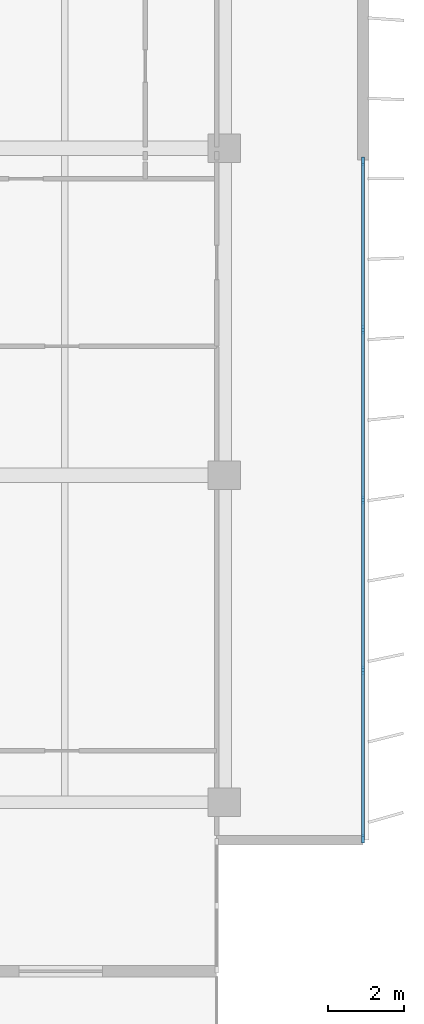
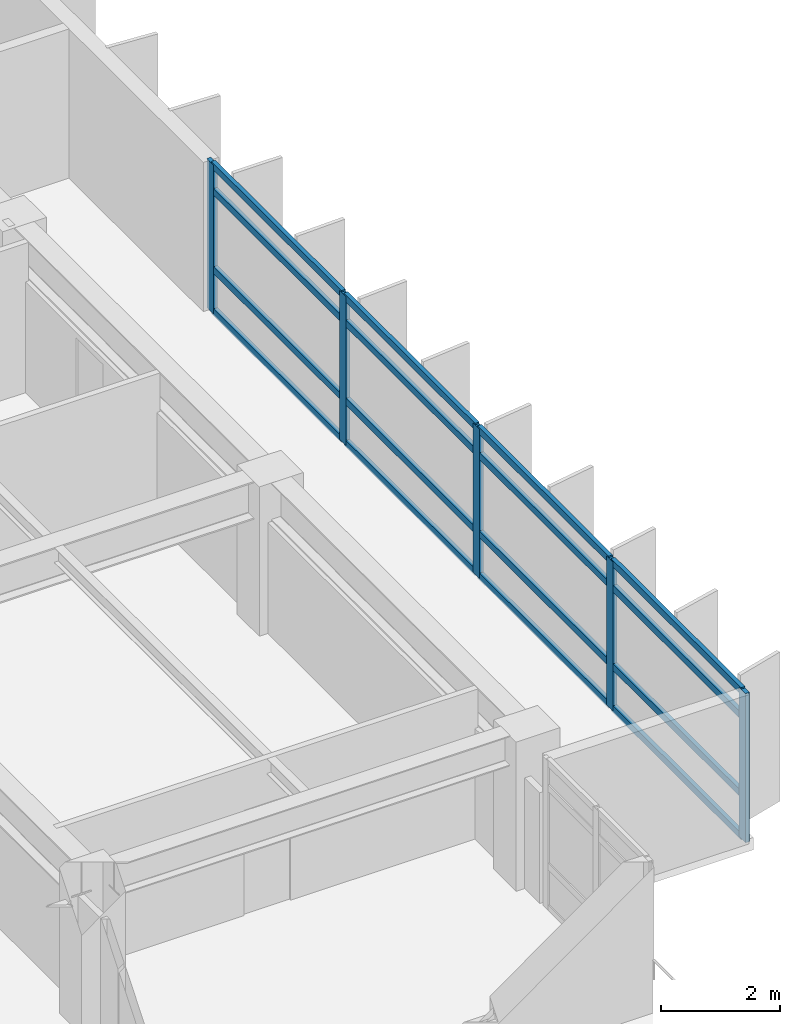
# One storey, part 5 of 18: 21 members, 1 element without a shape of its own.
"""IFC4 building model written with IfcOpenShell, lengths in metres."""

from ifc_helpers import new_model, si_unit, direction, frame, origin, origin_2d, place, context, subcontext, project, spatial, rectangle, extrude, material, layer, layer_set, material_profile, profile_set, type_object, element, aggregate, save


model = new_model("IFC4")

# Units and contexts
model_context = context("Model", 3, precision=1e-05, world=origin(), true_north=direction((0.0, 1.0)))
body_context = subcontext(model_context, "Body", "Model", "MODEL_VIEW")
ifc_project = project(units=[si_unit("LENGTHUNIT", "METRE"), si_unit("AREAUNIT", "SQUARE_METRE"), si_unit("VOLUMEUNIT", "CUBIC_METRE"), si_unit("PLANEANGLEUNIT", "RADIAN"), si_unit("MASSUNIT", "GRAM", prefix="KILO")], contexts=[model_context])

# Site, building, storey
site_placement = place(None, origin())
site = spatial("IfcSite", under=ifc_project, at=site_placement, CompositionType="ELEMENT")
building_placement = place(site_placement, origin())
building = spatial("IfcBuilding", under=site, at=building_placement, Name="Caelmar Bay Residences", CompositionType="ELEMENT")
storey_placement = place(building_placement, frame((0.0, 0.0, 170.39990234375)))
storey = spatial("IfcBuildingStorey", under=building, at=storey_placement, Name="L47", CompositionType="ELEMENT", Elevation=170.39990234375)

# Curtain wall, members
ifc_material_1 = material(Name="Anodised bronze aluminium 6063-T6 and laminated glass", Category="aluminium")
ifc_layer = layer(ifc_material_1, 0.179931640625)
ifc_layer_set = layer_set([ifc_layer], Name="Anodised bronze aluminium 6063-T6 and laminated glass")
curtain_wall_type = type_object("IfcCurtainWallType", Name="CW4-Z3", PredefinedType="NOTDEFINED", material=ifc_layer_set)
curtain_wall_placement = place(storey_placement, origin())
curtain_wall = element("IfcCurtainWall", 1, at=curtain_wall_placement, inside=storey, type_object=curtain_wall_type, Name="CW4 curtain wall L47", PredefinedType="NOTDEFINED")
ifc_material_2 = material(Name="Anodised bronze aluminium 6063-T6", Category="aluminium")
ifc_material_profile_1 = material_profile(ifc_material_2, rectangle(XDim=0.080078125, YDim=0.219970703125, at=origin_2d()), Name="CWM-80X220")
ifc_profile_set_1 = profile_set([ifc_material_profile_1], Name="Anodised bronze aluminium 6063-T6")
member_type_1 = type_object("IfcMemberType", Name="CWM-220", PredefinedType="MULLION", material=ifc_profile_set_1)
member_1_placement = place(storey_placement, frame((71.550048828125, 29.06005859375, 0.0), z_axis=(0.0, 0.0, 1.0), x_axis=(1.0, 0.0, 0.0)))
member_1 = element("IfcMember", 2, at=member_1_placement, type_object=member_type_1, Name="CW4 mullion 1", PredefinedType="MULLION", context=body_context, shape_type="SweptSolid", body=[
    extrude(rectangle(XDim=0.080078125, YDim=0.219970703125, at=origin_2d()), origin(), (0.0, 0.0, 1.0), 3.050048828125),
])
member_2_placement = place(storey_placement, frame((71.550048828125, 24.625, 0.0), z_axis=(0.0, 0.0, 1.0), x_axis=(1.0, 0.0, 0.0)))
member_2 = element("IfcMember", 3, at=member_2_placement, type_object=member_type_1, Name="CW4 mullion 2", PredefinedType="MULLION", context=body_context, shape_type="SweptSolid", body=[
    extrude(rectangle(XDim=0.080078125, YDim=0.219970703125, at=origin_2d()), origin(), (0.0, 0.0, 1.0), 3.050048828125),
])
member_3_placement = place(storey_placement, frame((71.550048828125, 20.14990234375, 0.0), z_axis=(0.0, 0.0, 1.0), x_axis=(1.0, 0.0, 0.0)))
member_3 = element("IfcMember", 4, at=member_3_placement, type_object=member_type_1, Name="CW4 mullion 3", PredefinedType="MULLION", context=body_context, shape_type="SweptSolid", body=[
    extrude(rectangle(XDim=0.080078125, YDim=0.219970703125, at=origin_2d()), origin(), (0.0, 0.0, 1.0), 3.050048828125),
])
member_4_placement = place(storey_placement, frame((71.550048828125, 15.675048828125, 0.0), z_axis=(0.0, 0.0, 1.0), x_axis=(1.0, 0.0, 0.0)))
member_4 = element("IfcMember", 5, at=member_4_placement, type_object=member_type_1, Name="CW4 mullion 4", PredefinedType="MULLION", context=body_context, shape_type="SweptSolid", body=[
    extrude(rectangle(XDim=0.080078125, YDim=0.219970703125, at=origin_2d()), origin(), (0.0, 0.0, 1.0), 3.050048828125),
])
member_5_placement = place(storey_placement, frame((71.550048828125, 11.239990234375, 0.0), z_axis=(0.0, 0.0, 1.0), x_axis=(1.0, 0.0, 0.0)))
member_5 = element("IfcMember", 6, at=member_5_placement, type_object=member_type_1, Name="CW4 mullion 5", PredefinedType="MULLION", context=body_context, shape_type="SweptSolid", body=[
    extrude(rectangle(XDim=0.080078125, YDim=0.219970703125, at=origin_2d()), origin(), (0.0, 0.0, 1.0), 3.050048828125),
])
ifc_material_profile_2 = material_profile(ifc_material_2, rectangle(XDim=0.080078125, YDim=0.139892578125, at=origin_2d()), Name="CWT-80X140")
ifc_profile_set_2 = profile_set([ifc_material_profile_2], Name="Anodised bronze aluminium 6063-T6")
member_type_2 = type_object("IfcMemberType", Name="CWT-140", PredefinedType="NOTDEFINED", material=ifc_profile_set_2)
member_6_placement = place(storey_placement, frame((71.550048828125, 29.02001953125, 0.0400390625), z_axis=(0.0, -1.0, 0.0), x_axis=(1.0, 0.0, 0.0)))
member_6 = element("IfcMember", 7, at=member_6_placement, type_object=member_type_2, Name="CW4 transom 1.1", ObjectType="TRANSOM", PredefinedType="USERDEFINED", context=body_context, shape_type="SweptSolid", body=[
    extrude(rectangle(XDim=0.080078125, YDim=0.139892578125, at=origin_2d()), origin(), (0.0, 0.0, 1.0), 4.35498046875),
])
member_7_placement = place(storey_placement, frame((71.550048828125, 29.02001953125, 0.900146484375), z_axis=(0.0, -1.0, 0.0), x_axis=(1.0, 0.0, 0.0)))
member_7 = element("IfcMember", 8, at=member_7_placement, type_object=member_type_2, Name="CW4 transom 1.2", ObjectType="TRANSOM", PredefinedType="USERDEFINED", context=body_context, shape_type="SweptSolid", body=[
    extrude(rectangle(XDim=0.080078125, YDim=0.139892578125, at=origin_2d()), origin(), (0.0, 0.0, 1.0), 4.35498046875),
])
member_8_placement = place(storey_placement, frame((71.550048828125, 29.02001953125, 2.5), z_axis=(0.0, -1.0, 0.0), x_axis=(1.0, 0.0, 0.0)))
member_8 = element("IfcMember", 9, at=member_8_placement, type_object=member_type_2, Name="CW4 transom 1.3", ObjectType="TRANSOM", PredefinedType="USERDEFINED", context=body_context, shape_type="SweptSolid", body=[
    extrude(rectangle(XDim=0.080078125, YDim=0.139892578125, at=origin_2d()), origin(), (0.0, 0.0, 1.0), 4.35498046875),
])
member_9_placement = place(storey_placement, frame((71.550048828125, 29.02001953125, 3.010009765625), z_axis=(0.0, -1.0, 0.0), x_axis=(1.0, 0.0, 0.0)))
member_9 = element("IfcMember", 10, at=member_9_placement, type_object=member_type_2, Name="CW4 transom 1.4", ObjectType="TRANSOM", PredefinedType="USERDEFINED", context=body_context, shape_type="SweptSolid", body=[
    extrude(rectangle(XDim=0.080078125, YDim=0.139892578125, at=origin_2d()), origin(), (0.0, 0.0, 1.0), 4.35498046875),
])
member_10_placement = place(storey_placement, frame((71.550048828125, 24.5849609375, 0.0400390625), z_axis=(0.0, -1.0, 0.0), x_axis=(1.0, 0.0, 0.0)))
member_10 = element("IfcMember", 11, at=member_10_placement, type_object=member_type_2, Name="CW4 transom 2.1", ObjectType="TRANSOM", PredefinedType="USERDEFINED", context=body_context, shape_type="SweptSolid", body=[
    extrude(rectangle(XDim=0.080078125, YDim=0.139892578125, at=origin_2d()), origin(), (0.0, 0.0, 1.0), 4.39501953125),
])
member_11_placement = place(storey_placement, frame((71.550048828125, 24.5849609375, 0.900146484375), z_axis=(0.0, -1.0, 0.0), x_axis=(1.0, 0.0, 0.0)))
member_11 = element("IfcMember", 12, at=member_11_placement, type_object=member_type_2, Name="CW4 transom 2.2", ObjectType="TRANSOM", PredefinedType="USERDEFINED", context=body_context, shape_type="SweptSolid", body=[
    extrude(rectangle(XDim=0.080078125, YDim=0.139892578125, at=origin_2d()), origin(), (0.0, 0.0, 1.0), 4.39501953125),
])
member_12_placement = place(storey_placement, frame((71.550048828125, 24.5849609375, 2.5), z_axis=(0.0, -1.0, 0.0), x_axis=(1.0, 0.0, 0.0)))
member_12 = element("IfcMember", 13, at=member_12_placement, type_object=member_type_2, Name="CW4 transom 2.3", ObjectType="TRANSOM", PredefinedType="USERDEFINED", context=body_context, shape_type="SweptSolid", body=[
    extrude(rectangle(XDim=0.080078125, YDim=0.139892578125, at=origin_2d()), origin(), (0.0, 0.0, 1.0), 4.39501953125),
])
member_13_placement = place(storey_placement, frame((71.550048828125, 24.5849609375, 3.010009765625), z_axis=(0.0, -1.0, 0.0), x_axis=(1.0, 0.0, 0.0)))
member_13 = element("IfcMember", 14, at=member_13_placement, type_object=member_type_2, Name="CW4 transom 2.4", ObjectType="TRANSOM", PredefinedType="USERDEFINED", context=body_context, shape_type="SweptSolid", body=[
    extrude(rectangle(XDim=0.080078125, YDim=0.139892578125, at=origin_2d()), origin(), (0.0, 0.0, 1.0), 4.39501953125),
])
member_14_placement = place(storey_placement, frame((71.550048828125, 20.110107421875, 0.0400390625), z_axis=(0.0, -1.0, 0.0), x_axis=(1.0, 0.0, 0.0)))
member_14 = element("IfcMember", 15, at=member_14_placement, type_object=member_type_2, Name="CW4 transom 3.1", ObjectType="TRANSOM", PredefinedType="USERDEFINED", context=body_context, shape_type="SweptSolid", body=[
    extrude(rectangle(XDim=0.080078125, YDim=0.139892578125, at=origin_2d()), origin(), (0.0, 0.0, 1.0), 4.39501953125),
])
member_15_placement = place(storey_placement, frame((71.550048828125, 20.110107421875, 0.900146484375), z_axis=(0.0, -1.0, 0.0), x_axis=(1.0, 0.0, 0.0)))
member_15 = element("IfcMember", 16, at=member_15_placement, type_object=member_type_2, Name="CW4 transom 3.2", ObjectType="TRANSOM", PredefinedType="USERDEFINED", context=body_context, shape_type="SweptSolid", body=[
    extrude(rectangle(XDim=0.080078125, YDim=0.139892578125, at=origin_2d()), origin(), (0.0, 0.0, 1.0), 4.39501953125),
])
member_16_placement = place(storey_placement, frame((71.550048828125, 20.110107421875, 2.5), z_axis=(0.0, -1.0, 0.0), x_axis=(1.0, 0.0, 0.0)))
member_16 = element("IfcMember", 17, at=member_16_placement, type_object=member_type_2, Name="CW4 transom 3.3", ObjectType="TRANSOM", PredefinedType="USERDEFINED", context=body_context, shape_type="SweptSolid", body=[
    extrude(rectangle(XDim=0.080078125, YDim=0.139892578125, at=origin_2d()), origin(), (0.0, 0.0, 1.0), 4.39501953125),
])
member_17_placement = place(storey_placement, frame((71.550048828125, 20.110107421875, 3.010009765625), z_axis=(0.0, -1.0, 0.0), x_axis=(1.0, 0.0, 0.0)))
member_17 = element("IfcMember", 18, at=member_17_placement, type_object=member_type_2, Name="CW4 transom 3.4", ObjectType="TRANSOM", PredefinedType="USERDEFINED", context=body_context, shape_type="SweptSolid", body=[
    extrude(rectangle(XDim=0.080078125, YDim=0.139892578125, at=origin_2d()), origin(), (0.0, 0.0, 1.0), 4.39501953125),
])
member_18_placement = place(storey_placement, frame((71.550048828125, 15.635009765625, 0.0400390625), z_axis=(0.0, -1.0, 0.0), x_axis=(1.0, 0.0, 0.0)))
member_18 = element("IfcMember", 19, at=member_18_placement, type_object=member_type_2, Name="CW4 transom 4.1", ObjectType="TRANSOM", PredefinedType="USERDEFINED", context=body_context, shape_type="SweptSolid", body=[
    extrude(rectangle(XDim=0.080078125, YDim=0.139892578125, at=origin_2d()), origin(), (0.0, 0.0, 1.0), 4.35498046875),
])
member_19_placement = place(storey_placement, frame((71.550048828125, 15.635009765625, 0.900146484375), z_axis=(0.0, -1.0, 0.0), x_axis=(1.0, 0.0, 0.0)))
member_19 = element("IfcMember", 20, at=member_19_placement, type_object=member_type_2, Name="CW4 transom 4.2", ObjectType="TRANSOM", PredefinedType="USERDEFINED", context=body_context, shape_type="SweptSolid", body=[
    extrude(rectangle(XDim=0.080078125, YDim=0.139892578125, at=origin_2d()), origin(), (0.0, 0.0, 1.0), 4.35498046875),
])
member_20_placement = place(storey_placement, frame((71.550048828125, 15.635009765625, 2.5), z_axis=(0.0, -1.0, 0.0), x_axis=(1.0, 0.0, 0.0)))
member_20 = element("IfcMember", 21, at=member_20_placement, type_object=member_type_2, Name="CW4 transom 4.3", ObjectType="TRANSOM", PredefinedType="USERDEFINED", context=body_context, shape_type="SweptSolid", body=[
    extrude(rectangle(XDim=0.080078125, YDim=0.139892578125, at=origin_2d()), origin(), (0.0, 0.0, 1.0), 4.35498046875),
])
member_21_placement = place(storey_placement, frame((71.550048828125, 15.635009765625, 3.010009765625), z_axis=(0.0, -1.0, 0.0), x_axis=(1.0, 0.0, 0.0)))
member_21 = element("IfcMember", 22, at=member_21_placement, type_object=member_type_2, Name="CW4 transom 4.4", ObjectType="TRANSOM", PredefinedType="USERDEFINED", context=body_context, shape_type="SweptSolid", body=[
    extrude(rectangle(XDim=0.080078125, YDim=0.139892578125, at=origin_2d()), origin(), (0.0, 0.0, 1.0), 4.35498046875),
])
aggregate(curtain_wall, [member_1, member_2, member_3, member_4, member_5, member_6, member_7, member_8, member_9, member_10, member_11, member_12, member_13, member_14, member_15, member_16, member_17, member_18, member_19, member_20, member_21])

save(model, "model.ifc")
